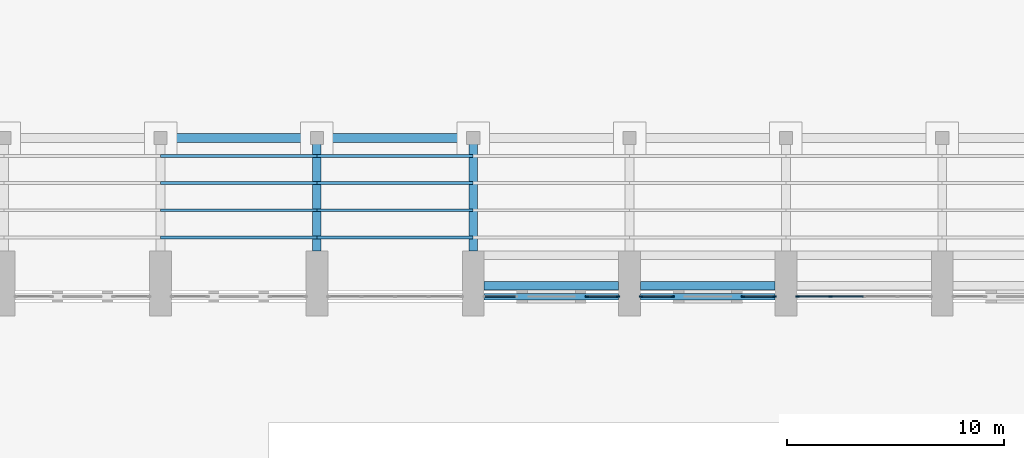
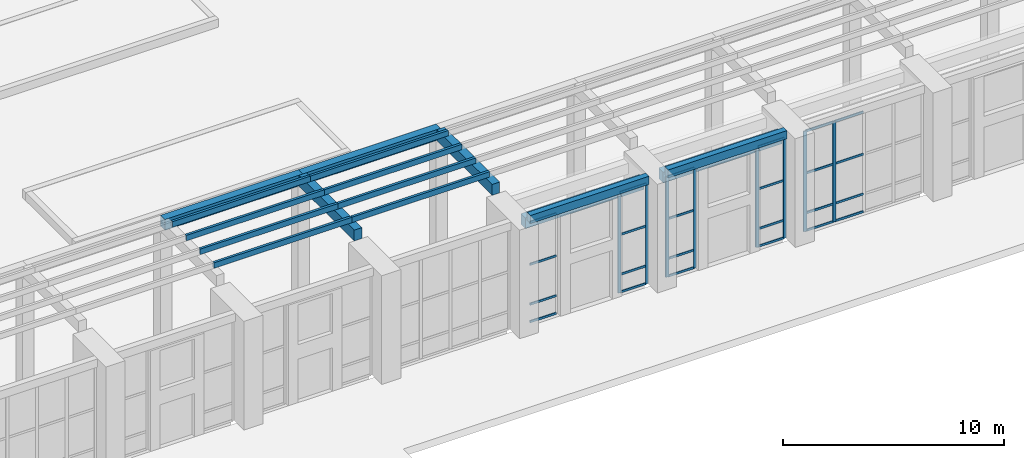
# One storey, part 16 of 70: 40 members, 8 beams, 5 elements without a shape of their own.
"""IFC4 building model written with IfcOpenShell, lengths in metres."""

from ifc_helpers import new_model, si_unit, direction, frame, origin, origin_2d, place, context, subcontext, project, spatial, rectangle, extrude, material, material_profile, profile_set, type_object, element, aggregate, save


model = new_model("IFC4")

# Units and contexts
model_context = context("Model", 3, precision=1e-05, world=origin(), true_north=direction((0.0, 1.0)))
body_context = subcontext(model_context, "Body", "Model", "MODEL_VIEW")
ifc_project = project(units=[si_unit("LENGTHUNIT", "METRE"), si_unit("AREAUNIT", "SQUARE_METRE"), si_unit("VOLUMEUNIT", "CUBIC_METRE"), si_unit("PLANEANGLEUNIT", "RADIAN"), si_unit("MASSUNIT", "GRAM", prefix="KILO")], contexts=[model_context])

# Site, building, storey
site_placement = place(None, origin())
site = spatial("IfcSite", under=ifc_project, at=site_placement, CompositionType="ELEMENT")
building_placement = place(site_placement, origin())
building = spatial("IfcBuilding", under=site, at=building_placement, Name="Vermilion Court Aquatics Centre", CompositionType="ELEMENT")
storey_placement = place(building_placement, origin())
storey = spatial("IfcBuildingStorey", under=building, at=storey_placement, Name="L00", CompositionType="ELEMENT", Elevation=0.0)

# Beams
ifc_material_1 = material(Name="Concrete 5000 psi", Category="concrete")
ifc_material_profile_1 = material_profile(ifc_material_1, rectangle(XDim=0.39990234375, YDim=0.60009765625, at=origin_2d()), Name="RC 400x600")
ifc_profile_set_1 = profile_set([ifc_material_profile_1], Name="Concrete 5000 psi")
beam_type_1 = type_object("IfcBeamType", Name="Court arcade beam RC 400x600", PredefinedType="BEAM", material=ifc_profile_set_1)
for number, where, z_axis, x_axis, name in (
    (1, (50.39990234375, 66.89990234375, 6.300048828125), (0.0, 1.0, 0.0), (-1.0, 0.0, 0.0), "Court arcade cross beam 6"),
    (2, (57.60009765625, 66.89990234375, 6.300048828125), (0.0, 1.0, 0.0), (-1.0, 0.0, 0.0), "Court arcade cross beam 7"),
):
    element("IfcBeam", number, at=place(storey_placement, frame(where, z_axis=z_axis, x_axis=x_axis)), inside=storey, type_object=beam_type_1, Name=name, PredefinedType="BEAM", context=body_context, shape_type="SweptSolid", body=[
        extrude(rectangle(XDim=0.39990234375, YDim=0.60009765625, at=origin_2d()), origin(), (0.0, 0.0, 1.0), 5.0),
    ])
beam_1_placement = place(storey_placement, frame((43.199951171875, 72.10009765625, 6.300048828125), z_axis=(1.0, 0.0, 0.0), x_axis=(0.0, 1.0, 0.0)))
element("IfcBeam", 3, at=beam_1_placement, inside=storey, type_object=beam_type_1, Name="Court arcade edge beam 5", PredefinedType="BEAM", context=body_context, shape_type="SweptSolid", body=[
    extrude(rectangle(XDim=0.39990234375, YDim=0.60009765625, at=origin_2d()), origin(), (0.0, 0.0, 1.0), 7.199951171875),
])
beam_2_placement = place(storey_placement, frame((50.39990234375, 72.10009765625, 6.300048828125), z_axis=(1.0, 0.0, 0.0), x_axis=(0.0, 1.0, 0.0)))
element("IfcBeam", 4, at=beam_2_placement, inside=storey, type_object=beam_type_1, Name="Court arcade edge beam 6", PredefinedType="BEAM", context=body_context, shape_type="SweptSolid", body=[
    extrude(rectangle(XDim=0.39990234375, YDim=0.60009765625, at=origin_2d()), origin(), (0.0, 0.0, 1.0), 7.2001953125),
])

# Members
ifc_material_2 = material(Name="Glulam 24F-V4 Douglas fir", Category="wood")
ifc_material_profile_2 = material_profile(ifc_material_2, rectangle(XDim=0.1298828125, YDim=0.300048828125, at=origin_2d()), Name="GL24F 130x300")
ifc_profile_set_2 = profile_set([ifc_material_profile_2], Name="Glulam 24F-V4 Douglas fir")
member_type_1 = type_object("IfcMemberType", Name="Court arcade glulam slat GL24F 130x300", PredefinedType="MEMBER", material=ifc_profile_set_2)
for number, where, z_axis, x_axis, name in (
    (5, (43.199951171875, 67.52490234375, 6.75), (1.0, 0.0, 0.0), (0.0, 1.0, 0.0), "Court arcade slat 5.1"),
    (6, (43.199951171875, 68.77490234375, 6.75), (1.0, 0.0, 0.0), (0.0, 1.0, 0.0), "Court arcade slat 5.2"),
    (7, (43.199951171875, 70.02490234375, 6.75), (1.0, 0.0, 0.0), (0.0, 1.0, 0.0), "Court arcade slat 5.3"),
    (8, (43.199951171875, 71.27490234375, 6.75), (1.0, 0.0, 0.0), (0.0, 1.0, 0.0), "Court arcade slat 5.4"),
):
    element("IfcMember", number, at=place(storey_placement, frame(where, z_axis=z_axis, x_axis=x_axis)), inside=storey, type_object=member_type_1, Name=name, PredefinedType="MEMBER", context=body_context, shape_type="SweptSolid", body=[
        extrude(rectangle(XDim=0.1298828125, YDim=0.300048828125, at=origin_2d()), origin(), (0.0, 0.0, 1.0), 7.199951171875),
    ])
for number, where, z_axis, x_axis, name in (
    (9, (50.39990234375, 67.52490234375, 6.75), (1.0, 0.0, 0.0), (0.0, 1.0, 0.0), "Court arcade slat 6.1"),
    (10, (50.39990234375, 68.77490234375, 6.75), (1.0, 0.0, 0.0), (0.0, 1.0, 0.0), "Court arcade slat 6.2"),
    (11, (50.39990234375, 70.02490234375, 6.75), (1.0, 0.0, 0.0), (0.0, 1.0, 0.0), "Court arcade slat 6.3"),
    (12, (50.39990234375, 71.27490234375, 6.75), (1.0, 0.0, 0.0), (0.0, 1.0, 0.0), "Court arcade slat 6.4"),
):
    element("IfcMember", number, at=place(storey_placement, frame(where, z_axis=z_axis, x_axis=x_axis)), inside=storey, type_object=member_type_1, Name=name, PredefinedType="MEMBER", context=body_context, shape_type="SweptSolid", body=[
        extrude(rectangle(XDim=0.1298828125, YDim=0.300048828125, at=origin_2d()), origin(), (0.0, 0.0, 1.0), 7.2001953125),
    ])

# Curtain wall, members
ifc_material_3 = material(Name="Aluminium 6063-T5", Category="aluminium")
curtain_wall_type = type_object("IfcCurtainWallType", Name="Envelope curtain wall hall glazing L00", PredefinedType="NOTDEFINED", material=ifc_material_3)
curtain_wall_1_placement = place(storey_placement, origin())
curtain_wall_1 = element("IfcCurtainWall", 13, at=curtain_wall_1_placement, inside=storey, type_object=curtain_wall_type, Name="Hall entrance sidelight bay 7 L00 E", PredefinedType="NOTDEFINED")
ifc_material_4 = material(Name="Aluminium 6063-T5", Category="aluminium")
ifc_material_profile_3 = material_profile(ifc_material_4, rectangle(XDim=0.06005859375, YDim=0.159912109375, at=origin_2d()), Name="AL 60x160")
ifc_profile_set_3 = profile_set([ifc_material_profile_3], Name="Aluminium 6063-T5")
member_type_2 = type_object("IfcMemberType", Name="Envelope aluminium mullion 60x160", PredefinedType="MULLION", material=ifc_profile_set_3)
member_1_placement = place(storey_placement, frame((62.830078125, 64.800048828125, 0.0), z_axis=(0.0, 0.0, 1.0), x_axis=(0.0, 1.0, 0.0)))
member_1 = element("IfcMember", 14, at=member_1_placement, type_object=member_type_2, Name="ECW1 mullion 1", PredefinedType="MULLION", context=body_context, shape_type="SweptSolid", body=[
    extrude(rectangle(XDim=0.06005859375, YDim=0.159912109375, at=origin_2d()), origin(), (0.0, 0.0, 1.0), 5.550048828125),
])
member_2_placement = place(storey_placement, frame((64.27001953125, 64.800048828125, 0.0), z_axis=(0.0, 0.0, 1.0), x_axis=(0.0, 1.0, 0.0)))
member_2 = element("IfcMember", 15, at=member_2_placement, type_object=member_type_2, Name="ECW1 mullion 2", PredefinedType="MULLION", context=body_context, shape_type="SweptSolid", body=[
    extrude(rectangle(XDim=0.06005859375, YDim=0.159912109375, at=origin_2d()), origin(), (0.0, 0.0, 1.0), 5.550048828125),
])

curtain_wall_2_placement = place(storey_placement, origin())
curtain_wall_2 = element("IfcCurtainWall", 16, at=curtain_wall_2_placement, inside=storey, type_object=curtain_wall_type, Name="Hall entrance sidelight bay 8 L00 W", PredefinedType="NOTDEFINED")
member_3_placement = place(storey_placement, frame((65.330078125, 64.800048828125, 0.0), z_axis=(0.0, 0.0, 1.0), x_axis=(0.0, 1.0, 0.0)))
member_3 = element("IfcMember", 17, at=member_3_placement, type_object=member_type_2, Name="ECW1 mullion 1", PredefinedType="MULLION", context=body_context, shape_type="SweptSolid", body=[
    extrude(rectangle(XDim=0.06005859375, YDim=0.159912109375, at=origin_2d()), origin(), (0.0, 0.0, 1.0), 5.550048828125),
])
member_4_placement = place(storey_placement, frame((66.77001953125, 64.800048828125, 0.0), z_axis=(0.0, 0.0, 1.0), x_axis=(0.0, 1.0, 0.0)))
member_4 = element("IfcMember", 18, at=member_4_placement, type_object=member_type_2, Name="ECW1 mullion 2", PredefinedType="MULLION", context=body_context, shape_type="SweptSolid", body=[
    extrude(rectangle(XDim=0.06005859375, YDim=0.159912109375, at=origin_2d()), origin(), (0.0, 0.0, 1.0), 5.550048828125),
])

curtain_wall_3_placement = place(storey_placement, origin())
curtain_wall_3 = element("IfcCurtainWall", 19, at=curtain_wall_3_placement, inside=storey, type_object=curtain_wall_type, Name="Hall entrance sidelight bay 8 L00 E", PredefinedType="NOTDEFINED")
member_5_placement = place(storey_placement, frame((70.030029296875, 64.800048828125, 0.0), z_axis=(0.0, 0.0, 1.0), x_axis=(0.0, 1.0, 0.0)))
member_5 = element("IfcMember", 20, at=member_5_placement, type_object=member_type_2, Name="ECW1 mullion 1", PredefinedType="MULLION", context=body_context, shape_type="SweptSolid", body=[
    extrude(rectangle(XDim=0.06005859375, YDim=0.159912109375, at=origin_2d()), origin(), (0.0, 0.0, 1.0), 5.550048828125),
])
member_6_placement = place(storey_placement, frame((71.469970703125, 64.800048828125, 0.0), z_axis=(0.0, 0.0, 1.0), x_axis=(0.0, 1.0, 0.0)))
member_6 = element("IfcMember", 21, at=member_6_placement, type_object=member_type_2, Name="ECW1 mullion 2", PredefinedType="MULLION", context=body_context, shape_type="SweptSolid", body=[
    extrude(rectangle(XDim=0.06005859375, YDim=0.159912109375, at=origin_2d()), origin(), (0.0, 0.0, 1.0), 5.550048828125),
])

curtain_wall_4_placement = place(storey_placement, origin())
curtain_wall_4 = element("IfcCurtainWall", 22, at=curtain_wall_4_placement, inside=storey, type_object=curtain_wall_type, Name="Hall glazing bay 9 L00", PredefinedType="NOTDEFINED")
member_7_placement = place(storey_placement, frame((72.530029296875, 64.800048828125, 0.0), z_axis=(0.0, 0.0, 1.0), x_axis=(0.0, 1.0, 0.0)))
member_7 = element("IfcMember", 23, at=member_7_placement, type_object=member_type_2, Name="ECW1 mullion 1", PredefinedType="MULLION", context=body_context, shape_type="SweptSolid", body=[
    extrude(rectangle(XDim=0.06005859375, YDim=0.159912109375, at=origin_2d()), origin(), (0.0, 0.0, 1.0), 5.550048828125),
])
member_8_placement = place(storey_placement, frame((74.050048828125, 64.800048828125, 0.0), z_axis=(0.0, 0.0, 1.0), x_axis=(0.0, 1.0, 0.0)))
member_8 = element("IfcMember", 24, at=member_8_placement, type_object=member_type_2, Name="ECW1 mullion 2", PredefinedType="MULLION", context=body_context, shape_type="SweptSolid", body=[
    extrude(rectangle(XDim=0.06005859375, YDim=0.159912109375, at=origin_2d()), origin(), (0.0, 0.0, 1.0), 5.550048828125),
])

curtain_wall_5_placement = place(storey_placement, origin())
curtain_wall_5 = element("IfcCurtainWall", 25, at=curtain_wall_5_placement, inside=storey, type_object=curtain_wall_type, Name="Hall entrance sidelight bay 7 L00 W", PredefinedType="NOTDEFINED")
ifc_material_5 = material(Name="Aluminium 6063-T5", Category="aluminium")
ifc_material_profile_4 = material_profile(ifc_material_5, rectangle(XDim=0.06005859375, YDim=0.1201171875, at=origin_2d()), Name="AL 60x120")
ifc_profile_set_4 = profile_set([ifc_material_profile_4], Name="Aluminium 6063-T5")
member_type_3 = type_object("IfcMemberType", Name="Envelope aluminium transom 60x120", PredefinedType="USERDEFINED", material=ifc_profile_set_4)
member_9_placement = place(storey_placement, frame((58.159912109375, 64.800048828125, 0.030029296875), z_axis=(1.0, 0.0, 0.0), x_axis=(0.0, 1.0, 0.0)))
member_9 = element("IfcMember", 26, at=member_9_placement, type_object=member_type_3, Name="ECW1 transom 1.1", ObjectType="TRANSOM", PredefinedType="USERDEFINED", context=body_context, shape_type="SweptSolid", body=[
    extrude(rectangle(XDim=0.06005859375, YDim=0.1201171875, at=origin_2d()), origin(), (0.0, 0.0, 1.0), 1.380126953125),
])
member_10_placement = place(storey_placement, frame((58.159912109375, 64.800048828125, 1.0), z_axis=(1.0, 0.0, 0.0), x_axis=(0.0, 1.0, 0.0)))
member_10 = element("IfcMember", 27, at=member_10_placement, type_object=member_type_3, Name="ECW1 transom 1.2", ObjectType="TRANSOM", PredefinedType="USERDEFINED", context=body_context, shape_type="SweptSolid", body=[
    extrude(rectangle(XDim=0.06005859375, YDim=0.1201171875, at=origin_2d()), origin(), (0.0, 0.0, 1.0), 1.380126953125),
])
member_11_placement = place(storey_placement, frame((58.159912109375, 64.800048828125, 3.199951171875), z_axis=(1.0, 0.0, 0.0), x_axis=(0.0, 1.0, 0.0)))
member_11 = element("IfcMember", 28, at=member_11_placement, type_object=member_type_3, Name="ECW1 transom 1.3", ObjectType="TRANSOM", PredefinedType="USERDEFINED", context=body_context, shape_type="SweptSolid", body=[
    extrude(rectangle(XDim=0.06005859375, YDim=0.1201171875, at=origin_2d()), origin(), (0.0, 0.0, 1.0), 1.380126953125),
])
member_12_placement = place(storey_placement, frame((58.159912109375, 64.800048828125, 5.52001953125), z_axis=(1.0, 0.0, 0.0), x_axis=(0.0, 1.0, 0.0)))
member_12 = element("IfcMember", 29, at=member_12_placement, type_object=member_type_3, Name="ECW1 transom 1.4", ObjectType="TRANSOM", PredefinedType="USERDEFINED", context=body_context, shape_type="SweptSolid", body=[
    extrude(rectangle(XDim=0.06005859375, YDim=0.1201171875, at=origin_2d()), origin(), (0.0, 0.0, 1.0), 1.380126953125),
])
aggregate(curtain_wall_5, [member_9, member_10, member_11, member_12])

# Member
member_13_placement = place(storey_placement, frame((62.860107421875, 64.800048828125, 0.030029296875), z_axis=(1.0, 0.0, 0.0), x_axis=(0.0, 1.0, 0.0)))
member_13 = element("IfcMember", 30, at=member_13_placement, type_object=member_type_3, Name="ECW1 transom 1.1", ObjectType="TRANSOM", PredefinedType="USERDEFINED", context=body_context, shape_type="SweptSolid", body=[
    extrude(rectangle(XDim=0.06005859375, YDim=0.1201171875, at=origin_2d()), origin(), (0.0, 0.0, 1.0), 1.3798828125),
])

member_14_placement = place(storey_placement, frame((62.860107421875, 64.800048828125, 1.0), z_axis=(1.0, 0.0, 0.0), x_axis=(0.0, 1.0, 0.0)))
member_14 = element("IfcMember", 31, at=member_14_placement, type_object=member_type_3, Name="ECW1 transom 1.2", ObjectType="TRANSOM", PredefinedType="USERDEFINED", context=body_context, shape_type="SweptSolid", body=[
    extrude(rectangle(XDim=0.06005859375, YDim=0.1201171875, at=origin_2d()), origin(), (0.0, 0.0, 1.0), 1.3798828125),
])

member_15_placement = place(storey_placement, frame((62.860107421875, 64.800048828125, 3.199951171875), z_axis=(1.0, 0.0, 0.0), x_axis=(0.0, 1.0, 0.0)))
member_15 = element("IfcMember", 32, at=member_15_placement, type_object=member_type_3, Name="ECW1 transom 1.3", ObjectType="TRANSOM", PredefinedType="USERDEFINED", context=body_context, shape_type="SweptSolid", body=[
    extrude(rectangle(XDim=0.06005859375, YDim=0.1201171875, at=origin_2d()), origin(), (0.0, 0.0, 1.0), 1.3798828125),
])

member_16_placement = place(storey_placement, frame((62.860107421875, 64.800048828125, 5.52001953125), z_axis=(1.0, 0.0, 0.0), x_axis=(0.0, 1.0, 0.0)))
member_16 = element("IfcMember", 33, at=member_16_placement, type_object=member_type_3, Name="ECW1 transom 1.4", ObjectType="TRANSOM", PredefinedType="USERDEFINED", context=body_context, shape_type="SweptSolid", body=[
    extrude(rectangle(XDim=0.06005859375, YDim=0.1201171875, at=origin_2d()), origin(), (0.0, 0.0, 1.0), 1.3798828125),
])

aggregate(curtain_wall_1, [member_1, member_2, member_13, member_14, member_15, member_16])

member_17_placement = place(storey_placement, frame((65.360107421875, 64.800048828125, 0.030029296875), z_axis=(1.0, 0.0, 0.0), x_axis=(0.0, 1.0, 0.0)))
member_17 = element("IfcMember", 34, at=member_17_placement, type_object=member_type_3, Name="ECW1 transom 1.1", ObjectType="TRANSOM", PredefinedType="USERDEFINED", context=body_context, shape_type="SweptSolid", body=[
    extrude(rectangle(XDim=0.06005859375, YDim=0.1201171875, at=origin_2d()), origin(), (0.0, 0.0, 1.0), 1.3798828125),
])

member_18_placement = place(storey_placement, frame((65.360107421875, 64.800048828125, 1.0), z_axis=(1.0, 0.0, 0.0), x_axis=(0.0, 1.0, 0.0)))
member_18 = element("IfcMember", 35, at=member_18_placement, type_object=member_type_3, Name="ECW1 transom 1.2", ObjectType="TRANSOM", PredefinedType="USERDEFINED", context=body_context, shape_type="SweptSolid", body=[
    extrude(rectangle(XDim=0.06005859375, YDim=0.1201171875, at=origin_2d()), origin(), (0.0, 0.0, 1.0), 1.3798828125),
])

member_19_placement = place(storey_placement, frame((65.360107421875, 64.800048828125, 3.199951171875), z_axis=(1.0, 0.0, 0.0), x_axis=(0.0, 1.0, 0.0)))
member_19 = element("IfcMember", 36, at=member_19_placement, type_object=member_type_3, Name="ECW1 transom 1.3", ObjectType="TRANSOM", PredefinedType="USERDEFINED", context=body_context, shape_type="SweptSolid", body=[
    extrude(rectangle(XDim=0.06005859375, YDim=0.1201171875, at=origin_2d()), origin(), (0.0, 0.0, 1.0), 1.3798828125),
])

member_20_placement = place(storey_placement, frame((65.360107421875, 64.800048828125, 5.52001953125), z_axis=(1.0, 0.0, 0.0), x_axis=(0.0, 1.0, 0.0)))
member_20 = element("IfcMember", 37, at=member_20_placement, type_object=member_type_3, Name="ECW1 transom 1.4", ObjectType="TRANSOM", PredefinedType="USERDEFINED", context=body_context, shape_type="SweptSolid", body=[
    extrude(rectangle(XDim=0.06005859375, YDim=0.1201171875, at=origin_2d()), origin(), (0.0, 0.0, 1.0), 1.3798828125),
])

aggregate(curtain_wall_2, [member_3, member_4, member_17, member_18, member_19, member_20])

member_21_placement = place(storey_placement, frame((70.06005859375, 64.800048828125, 0.030029296875), z_axis=(1.0, 0.0, 0.0), x_axis=(0.0, 1.0, 0.0)))
member_21 = element("IfcMember", 38, at=member_21_placement, type_object=member_type_3, Name="ECW1 transom 1.1", ObjectType="TRANSOM", PredefinedType="USERDEFINED", context=body_context, shape_type="SweptSolid", body=[
    extrude(rectangle(XDim=0.06005859375, YDim=0.1201171875, at=origin_2d()), origin(), (0.0, 0.0, 1.0), 1.3798828125),
])

member_22_placement = place(storey_placement, frame((70.06005859375, 64.800048828125, 1.0), z_axis=(1.0, 0.0, 0.0), x_axis=(0.0, 1.0, 0.0)))
member_22 = element("IfcMember", 39, at=member_22_placement, type_object=member_type_3, Name="ECW1 transom 1.2", ObjectType="TRANSOM", PredefinedType="USERDEFINED", context=body_context, shape_type="SweptSolid", body=[
    extrude(rectangle(XDim=0.06005859375, YDim=0.1201171875, at=origin_2d()), origin(), (0.0, 0.0, 1.0), 1.3798828125),
])

member_23_placement = place(storey_placement, frame((70.06005859375, 64.800048828125, 3.199951171875), z_axis=(1.0, 0.0, 0.0), x_axis=(0.0, 1.0, 0.0)))
member_23 = element("IfcMember", 40, at=member_23_placement, type_object=member_type_3, Name="ECW1 transom 1.3", ObjectType="TRANSOM", PredefinedType="USERDEFINED", context=body_context, shape_type="SweptSolid", body=[
    extrude(rectangle(XDim=0.06005859375, YDim=0.1201171875, at=origin_2d()), origin(), (0.0, 0.0, 1.0), 1.3798828125),
])

member_24_placement = place(storey_placement, frame((70.06005859375, 64.800048828125, 5.52001953125), z_axis=(1.0, 0.0, 0.0), x_axis=(0.0, 1.0, 0.0)))
member_24 = element("IfcMember", 41, at=member_24_placement, type_object=member_type_3, Name="ECW1 transom 1.4", ObjectType="TRANSOM", PredefinedType="USERDEFINED", context=body_context, shape_type="SweptSolid", body=[
    extrude(rectangle(XDim=0.06005859375, YDim=0.1201171875, at=origin_2d()), origin(), (0.0, 0.0, 1.0), 1.3798828125),
])

aggregate(curtain_wall_3, [member_5, member_6, member_21, member_22, member_23, member_24])

member_25_placement = place(storey_placement, frame((72.56005859375, 64.800048828125, 0.030029296875), z_axis=(1.0, 0.0, 0.0), x_axis=(0.0, 1.0, 0.0)))
member_25 = element("IfcMember", 42, at=member_25_placement, type_object=member_type_3, Name="ECW1 transom 1.1", ObjectType="TRANSOM", PredefinedType="USERDEFINED", context=body_context, shape_type="SweptSolid", body=[
    extrude(rectangle(XDim=0.06005859375, YDim=0.1201171875, at=origin_2d()), origin(), (0.0, 0.0, 1.0), 1.4599609375),
])

member_26_placement = place(storey_placement, frame((72.56005859375, 64.800048828125, 1.0), z_axis=(1.0, 0.0, 0.0), x_axis=(0.0, 1.0, 0.0)))
member_26 = element("IfcMember", 43, at=member_26_placement, type_object=member_type_3, Name="ECW1 transom 1.2", ObjectType="TRANSOM", PredefinedType="USERDEFINED", context=body_context, shape_type="SweptSolid", body=[
    extrude(rectangle(XDim=0.06005859375, YDim=0.1201171875, at=origin_2d()), origin(), (0.0, 0.0, 1.0), 1.4599609375),
])

member_27_placement = place(storey_placement, frame((72.56005859375, 64.800048828125, 3.199951171875), z_axis=(1.0, 0.0, 0.0), x_axis=(0.0, 1.0, 0.0)))
member_27 = element("IfcMember", 44, at=member_27_placement, type_object=member_type_3, Name="ECW1 transom 1.3", ObjectType="TRANSOM", PredefinedType="USERDEFINED", context=body_context, shape_type="SweptSolid", body=[
    extrude(rectangle(XDim=0.06005859375, YDim=0.1201171875, at=origin_2d()), origin(), (0.0, 0.0, 1.0), 1.4599609375),
])

member_28_placement = place(storey_placement, frame((72.56005859375, 64.800048828125, 5.52001953125), z_axis=(1.0, 0.0, 0.0), x_axis=(0.0, 1.0, 0.0)))
member_28 = element("IfcMember", 45, at=member_28_placement, type_object=member_type_3, Name="ECW1 transom 1.4", ObjectType="TRANSOM", PredefinedType="USERDEFINED", context=body_context, shape_type="SweptSolid", body=[
    extrude(rectangle(XDim=0.06005859375, YDim=0.1201171875, at=origin_2d()), origin(), (0.0, 0.0, 1.0), 1.4599609375),
])

member_29_placement = place(storey_placement, frame((74.080078125, 64.800048828125, 0.030029296875), z_axis=(1.0, 0.0, 0.0), x_axis=(0.0, 1.0, 0.0)))
member_29 = element("IfcMember", 46, at=member_29_placement, type_object=member_type_3, Name="ECW1 transom 2.1", ObjectType="TRANSOM", PredefinedType="USERDEFINED", context=body_context, shape_type="SweptSolid", body=[
    extrude(rectangle(XDim=0.06005859375, YDim=0.1201171875, at=origin_2d()), origin(), (0.0, 0.0, 1.0), 1.489990234375),
])

member_30_placement = place(storey_placement, frame((74.080078125, 64.800048828125, 1.0), z_axis=(1.0, 0.0, 0.0), x_axis=(0.0, 1.0, 0.0)))
member_30 = element("IfcMember", 47, at=member_30_placement, type_object=member_type_3, Name="ECW1 transom 2.2", ObjectType="TRANSOM", PredefinedType="USERDEFINED", context=body_context, shape_type="SweptSolid", body=[
    extrude(rectangle(XDim=0.06005859375, YDim=0.1201171875, at=origin_2d()), origin(), (0.0, 0.0, 1.0), 1.489990234375),
])

member_31_placement = place(storey_placement, frame((74.080078125, 64.800048828125, 3.199951171875), z_axis=(1.0, 0.0, 0.0), x_axis=(0.0, 1.0, 0.0)))
member_31 = element("IfcMember", 48, at=member_31_placement, type_object=member_type_3, Name="ECW1 transom 2.3", ObjectType="TRANSOM", PredefinedType="USERDEFINED", context=body_context, shape_type="SweptSolid", body=[
    extrude(rectangle(XDim=0.06005859375, YDim=0.1201171875, at=origin_2d()), origin(), (0.0, 0.0, 1.0), 1.489990234375),
])

member_32_placement = place(storey_placement, frame((74.080078125, 64.800048828125, 5.52001953125), z_axis=(1.0, 0.0, 0.0), x_axis=(0.0, 1.0, 0.0)))
member_32 = element("IfcMember", 49, at=member_32_placement, type_object=member_type_3, Name="ECW1 transom 2.4", ObjectType="TRANSOM", PredefinedType="USERDEFINED", context=body_context, shape_type="SweptSolid", body=[
    extrude(rectangle(XDim=0.06005859375, YDim=0.1201171875, at=origin_2d()), origin(), (0.0, 0.0, 1.0), 1.489990234375),
])

aggregate(curtain_wall_4, [member_7, member_8, member_25, member_26, member_27, member_28, member_29, member_30, member_31, member_32])

# Beams
ifc_material_6 = material(Name="Concrete 5000 psi", Category="concrete")
ifc_material_profile_5 = material_profile(ifc_material_6, rectangle(XDim=0.39990234375, YDim=0.60009765625, at=origin_2d()), Name="RC 400x600")
ifc_profile_set_5 = profile_set([ifc_material_profile_5], Name="Concrete 5000 psi")
beam_type_2 = type_object("IfcBeamType", Name="Envelope north entrance canopy edge beam RC 400x600", PredefinedType="BEAM", material=ifc_profile_set_5)
for number, where, z_axis, x_axis, name in (
    (50, (58.10009765625, 65.300048828125, 5.300048828125), (1.0, 0.0, 0.0), (0.0, 1.0, 0.0), "North entrance canopy beam 7"),
    (51, (65.300048828125, 65.300048828125, 5.300048828125), (1.0, 0.0, 0.0), (0.0, 1.0, 0.0), "North entrance canopy beam 8"),
):
    element("IfcBeam", number, at=place(storey_placement, frame(where, z_axis=z_axis, x_axis=x_axis)), inside=storey, type_object=beam_type_2, Name=name, PredefinedType="BEAM", context=body_context, shape_type="SweptSolid", body=[
        extrude(rectangle(XDim=0.39990234375, YDim=0.60009765625, at=origin_2d()), origin(), (0.0, 0.0, 1.0), 6.199951171875),
    ])
ifc_material_7 = material(Name="Concrete 5000 psi", Category="concrete")
ifc_material_profile_6 = material_profile(ifc_material_7, rectangle(XDim=0.300048828125, YDim=0.449951171875, at=origin_2d()), Name="RC 300x450")
ifc_profile_set_6 = profile_set([ifc_material_profile_6], Name="Concrete 5000 psi")
beam_type_3 = type_object("IfcBeamType", Name="Envelope north wall head beam RC 300x450", PredefinedType="BEAM", material=ifc_profile_set_6)
for number, where, z_axis, x_axis, name in (
    (52, (58.10009765625, 64.800048828125, 5.77490234375), (1.0, 0.0, 0.0), (0.0, 1.0, 0.0), "North wall head beam 7"),
    (53, (65.300048828125, 64.800048828125, 5.77490234375), (1.0, 0.0, 0.0), (0.0, 1.0, 0.0), "North wall head beam 8"),
):
    element("IfcBeam", number, at=place(storey_placement, frame(where, z_axis=z_axis, x_axis=x_axis)), inside=storey, type_object=beam_type_3, Name=name, PredefinedType="BEAM", context=body_context, shape_type="SweptSolid", body=[
        extrude(rectangle(XDim=0.300048828125, YDim=0.449951171875, at=origin_2d()), origin(), (0.0, 0.0, 1.0), 6.199951171875),
    ])

save(model, "model.ifc")
